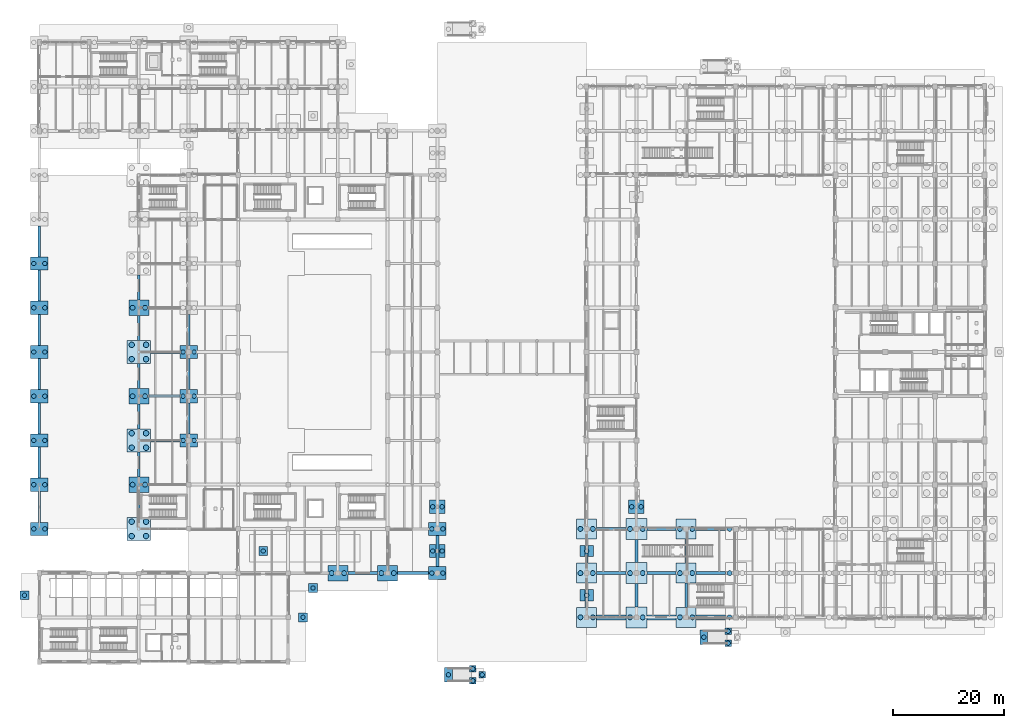
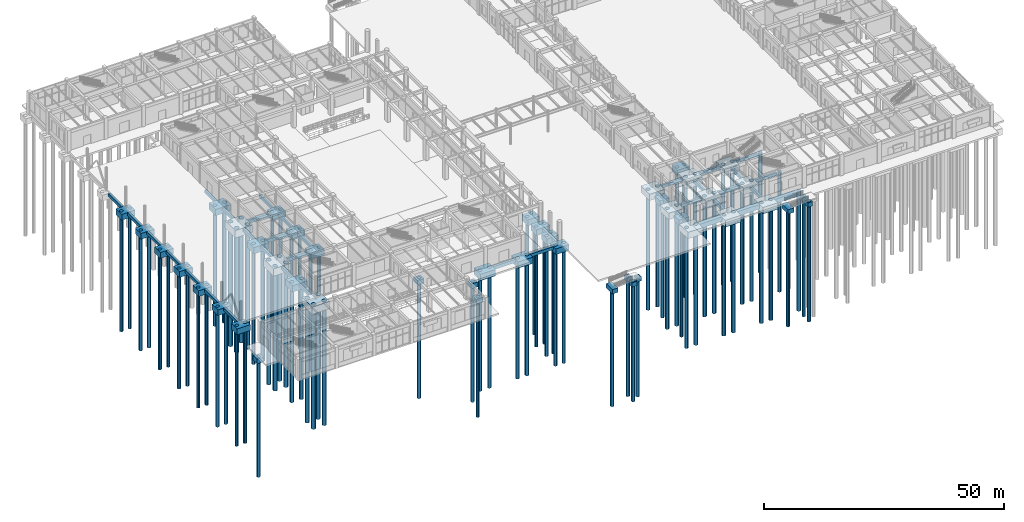
# One storey, part 1 of 121: 86 piles, 82 footings.
"""IFC4 building model written with IfcOpenShell, lengths in metres."""

import ifcopenshell
import ifcopenshell.guid

model = None  # the IFC model being written
_history = None  # IfcOwnerHistory: only IFC2X3 demands one
_inside = {}  # id of a spatial element -> (the spatial element, [elements in it])
_under = {}  # id of a project, library or spatial element -> (it, [spatial elements below it])
_declared = {}  # id of a project -> (the project, [libraries it declares])
_typed = {}  # id of a type object -> (the type object, [elements of that type])
_made_of = {}  # id of a material, layer set ... -> (it, [elements and type objects made of it])


def new_model(schema):
    """Start an empty IFC model of exactly this schema.

    Asked for "IFC4X3", IfcOpenShell would pick the latest addendum, in which some entities
    have other attributes; the version numbers below select the first issue.
    IFC2X3 requires an IfcOwnerHistory on every rooted entity: one is made here for all.
    """
    global model, _history
    if schema == "IFC4X3":
        model = ifcopenshell.file(schema_version=(4, 3, 0, 0))
    else:
        model = ifcopenshell.file(schema=schema)
    _inside.clear()
    _under.clear()
    _declared.clear()
    _typed.clear()
    _made_of.clear()
    _history = None
    if model.schema == "IFC2X3":
        org = make("IfcOrganization", Name="unknown")
        user = make(
            "IfcPersonAndOrganization",
            ThePerson=make("IfcPerson", FamilyName="unknown"),
            TheOrganization=org,
        )
        app = make(
            "IfcApplication",
            ApplicationDeveloper=org,
            Version="unknown",
            ApplicationFullName="unknown",
            ApplicationIdentifier="unknown",
        )
        _history = make(
            "IfcOwnerHistory",
            OwningUser=user,
            OwningApplication=app,
            ChangeAction="ADDED",
            CreationDate=0,
        )
    return model


def make(cls, **values):
    """One entity of the class cls with the attributes given. An attribute that is None is left unset."""
    return model.create_entity(
        cls, **{name: value for name, value in values.items() if value is not None}
    )


def rooted(cls, **values):
    """An entity with a GlobalId (a new one), such as an element, a storey or a relation."""
    return make(cls, GlobalId=ifcopenshell.guid.new(), OwnerHistory=_history, **values)


def si_unit(unit_type, name, prefix=None):
    """IfcSIUnit, for example si_unit("LENGTHUNIT", "METRE", prefix="MILLI")."""
    return make("IfcSIUnit", UnitType=unit_type, Prefix=prefix, Name=name)


def derived_unit(unit_type, elements):
    """IfcDerivedUnit: a product of units, each with its exponent."""
    return make(
        "IfcDerivedUnit",
        Elements=[
            make("IfcDerivedUnitElement", Unit=unit, Exponent=power)
            for unit, power in elements
        ],
        UnitType=unit_type,
    )


def assignment(units):
    """IfcUnitAssignment: the units of a project."""
    return None if units is None else make("IfcUnitAssignment", Units=units)


def point(xyz):
    """IfcCartesianPoint."""
    return None if xyz is None else make("IfcCartesianPoint", Coordinates=xyz)


def direction(xyz):
    """IfcDirection."""
    return None if xyz is None else make("IfcDirection", DirectionRatios=xyz)


def frame(location, z_axis=None, x_axis=None):
    """IfcAxis2Placement3D, a coordinate frame: its origin and axes. An axis left out is left unset."""
    return make(
        "IfcAxis2Placement3D",
        Location=point(location),
        Axis=direction(z_axis),
        RefDirection=direction(x_axis),
    )


def frame_2d(location, x_axis=None):
    """IfcAxis2Placement2D, a coordinate frame in the plane: its origin and x axis."""
    return make(
        "IfcAxis2Placement2D", Location=point(location), RefDirection=direction(x_axis)
    )


def origin():
    """The frame at (0, 0, 0) with its axes left unset."""
    return frame((0.0, 0.0, 0.0))


def origin_2d():
    """The frame at (0, 0) in the plane with its x axis left unset."""
    return frame_2d((0.0, 0.0))


def place(relative_to, where):
    """IfcLocalPlacement: puts the frame where relative to a parent placement (None: the world)."""
    return make(
        "IfcLocalPlacement", PlacementRelTo=relative_to, RelativePlacement=where
    )


def context(
    kind, dimensions, precision=None, world=None, true_north=None, identifier=None
):
    """IfcGeometricRepresentationContext, for example the 3D "Model" context."""
    return make(
        "IfcGeometricRepresentationContext",
        ContextIdentifier=identifier,
        ContextType=kind,
        CoordinateSpaceDimension=dimensions,
        Precision=precision,
        WorldCoordinateSystem=world,
        TrueNorth=true_north,
    )


def subcontext(parent, identifier, kind, view, scale=None):
    """IfcGeometricRepresentationSubContext, for example "Body" below "Model"."""
    return make(
        "IfcGeometricRepresentationSubContext",
        ContextIdentifier=identifier,
        ContextType=kind,
        ParentContext=parent,
        TargetScale=scale,
        TargetView=view,
    )


def project(units=None, contexts=None):
    """IfcProject with its units and contexts."""
    return rooted(
        "IfcProject",
        Name="project",
        RepresentationContexts=contexts,
        UnitsInContext=assignment(units),
    )


def spatial(cls, under=None, at=None, **own):
    """A site, building, storey or space (cls), placed at a placement, below another one or the project."""
    s = rooted(cls, ObjectPlacement=at, **own)
    if under is not None:
        _under.setdefault(under.id(), (under, []))[1].append(s)
    return s


def profile(cls, at=None, kind="AREA", **sizes):
    """A parametric profile (cls). Its sizes go by their IFC names, for example OverallWidth=200.0."""
    return make(cls, ProfileType=kind, Position=at, **sizes)


def rectangle(**sizes):
    """IfcRectangleProfileDef."""
    return profile("IfcRectangleProfileDef", **sizes)


def circle(**sizes):
    """IfcCircleProfileDef."""
    return profile("IfcCircleProfileDef", **sizes)


def extrude(swept, where, along, depth):
    """IfcExtrudedAreaSolid: the profile swept, set in the frame where, extruded along a direction by depth."""
    return make(
        "IfcExtrudedAreaSolid",
        SweptArea=swept,
        Position=where,
        ExtrudedDirection=direction(along),
        Depth=depth,
    )


def shape(context_of_items, identifier, shape_type, items):
    """IfcShapeRepresentation: the items that make up one representation, for example the "Body"."""
    return make(
        "IfcShapeRepresentation",
        ContextOfItems=context_of_items,
        RepresentationIdentifier=identifier,
        RepresentationType=shape_type,
        Items=items,
    )


def material(Name=None, Category=None):
    """IfcMaterial."""
    return make("IfcMaterial", Name=Name, Category=Category)


def material_profile(
    of_material, cross_section, Name=None, Category=None, Priority=None
):
    """IfcMaterialProfile: a cross section and its material."""
    return make(
        "IfcMaterialProfile",
        Name=Name,
        Material=of_material,
        Profile=cross_section,
        Priority=Priority,
        Category=Category,
    )


def profile_set(profiles, Name=None, composite=None):
    """IfcMaterialProfileSet."""
    return make(
        "IfcMaterialProfileSet",
        Name=Name,
        MaterialProfiles=profiles,
        CompositeProfile=composite,
    )


def made_of(thing, what):
    """Note that an element or type object is made of a material, layer set ...; save() writes the relation."""
    if what is not None:
        _made_of.setdefault(what.id(), (what, []))[1].append(thing)
    return thing


def type_object(cls, material=None, **own):
    """A type object (cls), such as IfcWallType, which elements share."""
    return made_of(rooted(cls, **own), material)


def element(
    cls,
    number,
    at=None,
    inside=None,
    cuts=None,
    type_object=None,
    material=None,
    context=None,
    identifier="Body",
    shape_type=None,
    held_by="IfcProductDefinitionShape",
    body=None,
    shapes=None,
    **own,
):
    """One element of the class cls, such as IfcWall. Its Tag is "e" and its number.

    at: its placement. inside: the storey or other place that contains it. cuts: it is an
    opening in that element (IfcRelVoidsElement). A single representation is given by context,
    identifier, shape_type and body (its items); several are given by shapes. held_by: the class
    of the entity that holds the representations. save() writes the other relations.
    """
    e = rooted(cls, Tag="e%d" % number, ObjectPlacement=at, **own)
    if body is not None:
        shapes = [shape(context, identifier, shape_type, body)]
    if shapes is not None:
        e.Representation = make(held_by, Representations=shapes)
    if inside is not None:
        _inside.setdefault(inside.id(), (inside, []))[1].append(e)
    if cuts is not None:
        rooted(
            "IfcRelVoidsElement", RelatingBuildingElement=cuts, RelatedOpeningElement=e
        )
    if type_object is not None:
        _typed.setdefault(type_object.id(), (type_object, []))[1].append(e)
    return made_of(e, material)


def aggregate(whole, parts):
    """IfcRelAggregates: a whole, such as a stair, and the parts it consists of."""
    return rooted("IfcRelAggregates", RelatingObject=whole, RelatedObjects=parts)


def save(model, path):
    """Write the relations noted so far, then the file.

    IfcRelAggregates (storeys below a building ...), IfcRelContainedInSpatialStructure (elements
    in a storey), IfcRelDefinesByType, IfcRelAssociatesMaterial and IfcRelDeclares: one each for
    every whole, place, type object, material and project.
    """
    for whole, parts in _under.values():
        aggregate(whole, parts)
    for where, things in _inside.values():
        rooted(
            "IfcRelContainedInSpatialStructure",
            RelatedElements=things,
            RelatingStructure=where,
        )
    for kind, things in _typed.values():
        rooted("IfcRelDefinesByType", RelatedObjects=things, RelatingType=kind)
    for what, things in _made_of.values():
        rooted("IfcRelAssociatesMaterial", RelatedObjects=things, RelatingMaterial=what)
    for by, libraries in _declared.values():
        rooted("IfcRelDeclares", RelatingContext=by, RelatedDefinitions=libraries)
    model.write(path)


model = new_model("IFC4")

# Units and contexts
model_context = context("Model", 3, precision=1e-05, world=origin(), true_north=direction((0.0, 1.0)))
body_context = subcontext(model_context, "Body", "Model", "MODEL_VIEW")
ifc_project = project(units=[si_unit("LENGTHUNIT", "METRE"), si_unit("AREAUNIT", "SQUARE_METRE"), si_unit("VOLUMEUNIT", "CUBIC_METRE"), si_unit("PLANEANGLEUNIT", "RADIAN"), si_unit("MASSUNIT", "GRAM", prefix="KILO"), derived_unit("THERMALTRANSMITTANCEUNIT", [(si_unit("MASSUNIT", "GRAM", prefix="KILO"), 1), (si_unit("TIMEUNIT", "SECOND"), -3), (si_unit("THERMODYNAMICTEMPERATUREUNIT", "KELVIN"), -1)])], contexts=[model_context])

# Site, building, storey
site_placement = place(None, origin())
site = spatial("IfcSite", under=ifc_project, at=site_placement, CompositionType="ELEMENT")
building_placement = place(site_placement, origin())
building = spatial("IfcBuilding", under=site, at=building_placement, Name="Zhenchuan Archway Interchange", CompositionType="ELEMENT")
storey_placement = place(building_placement, origin())
storey = spatial("IfcBuildingStorey", under=building, at=storey_placement, Name="L00", CompositionType="ELEMENT", Elevation=0.0)

# Footings
ifc_material_1 = material(Name="Concrete C40", Category="concrete")
ifc_material_profile_1 = material_profile(ifc_material_1, rectangle(XDim=0.550048828125, YDim=0.85009765625, at=origin_2d()), Name="RC 550x850")
ifc_profile_set_1 = profile_set([ifc_material_profile_1], Name="Concrete C40")
footing_type_1 = type_object("IfcFootingType", Name="FB_GROUND_3", PredefinedType="FOOTING_BEAM", material=ifc_profile_set_1)
footing_1_placement = place(storey_placement, frame((55.800048828125, 16.0, -0.844970703125), z_axis=(1.0, 0.0, 0.0), x_axis=(0.0, 1.0, 0.0)))
element("IfcFooting", 1, at=footing_1_placement, inside=storey, type_object=footing_type_1, Name="Ground tie beam C:7-8 (L00)", PredefinedType="FOOTING_BEAM", context=body_context, shape_type="SweptSolid", body=[
    extrude(rectangle(XDim=0.550048828125, YDim=0.85009765625, at=origin_2d()), origin(), (0.0, 0.0, 1.0), 5.39990234375),
])
for number, where, z_axis, x_axis, name in (
    (2, (109.89990234375, 16.0, -0.844970703125), (1.0, 0.0, 0.0), (0.0, 1.0, 0.0), "Ground tie beam C:13-14 (L00)"),
    (3, (109.89990234375, 24.0, -0.844970703125), (1.0, 0.0, 0.0), (0.0, 1.0, 0.0), "Ground tie beam D:13-14 (L00)"),
):
    element("IfcFooting", number, at=place(storey_placement, frame(where, z_axis=z_axis, x_axis=x_axis)), inside=storey, type_object=footing_type_1, Name=name, PredefinedType="FOOTING_BEAM", context=body_context, shape_type="SweptSolid", body=[
        extrude(rectangle(XDim=0.550048828125, YDim=0.85009765625, at=origin_2d()), origin(), (0.0, 0.0, 1.0), 5.300048828125),
    ])
footing_2_placement = place(storey_placement, frame((20.10009765625, 40.0, -0.844970703125), z_axis=(1.0, 0.0, 0.0), x_axis=(0.0, 1.0, 0.0)))
element("IfcFooting", 4, at=footing_2_placement, inside=storey, type_object=footing_type_1, Name="Ground tie beam F:3-4 (L00)", PredefinedType="FOOTING_BEAM", context=body_context, shape_type="SweptSolid", body=[
    extrude(rectangle(XDim=0.550048828125, YDim=0.85009765625, at=origin_2d()), origin(), (0.0, 0.0, 1.0), 5.2998046875),
])
footing_3_placement = place(storey_placement, frame((19.800048828125, 48.0, -0.844970703125), z_axis=(1.0, 0.0, 0.0), x_axis=(0.0, 1.0, 0.0)))
element("IfcFooting", 5, at=footing_3_placement, inside=storey, type_object=footing_type_1, Name="Ground tie beam G:3-4 (L00)", PredefinedType="FOOTING_BEAM", context=body_context, shape_type="SweptSolid", body=[
    extrude(rectangle(XDim=0.550048828125, YDim=0.85009765625, at=origin_2d()), origin(), (0.0, 0.0, 1.0), 5.599853515625),
])
footing_4_placement = place(storey_placement, frame((20.10009765625, 56.0, -0.844970703125), z_axis=(1.0, 0.0, 0.0), x_axis=(0.0, 1.0, 0.0)))
element("IfcFooting", 6, at=footing_4_placement, inside=storey, type_object=footing_type_1, Name="Ground tie beam H:3-4 (L00)", PredefinedType="FOOTING_BEAM", context=body_context, shape_type="SweptSolid", body=[
    extrude(rectangle(XDim=0.550048828125, YDim=0.85009765625, at=origin_2d()), origin(), (0.0, 0.0, 1.0), 5.2998046875),
])
ifc_material_profile_2 = material_profile(ifc_material_1, rectangle(XDim=0.5, YDim=0.75, at=origin_2d()), Name="RC 500x750")
ifc_profile_set_2 = profile_set([ifc_material_profile_2], Name="Concrete C40")
footing_type_2 = type_object("IfcFootingType", Name="FB_GROUND_4", PredefinedType="FOOTING_BEAM", material=ifc_profile_set_2)
footing_5_placement = place(storey_placement, frame((64.800048828125, 16.0, -0.794921875), z_axis=(1.0, 0.0, 0.0), x_axis=(0.0, 1.0, 0.0)))
element("IfcFooting", 7, at=footing_5_placement, inside=storey, type_object=footing_type_2, Name="Ground tie beam C:8-9 (L00)", PredefinedType="FOOTING_BEAM", context=body_context, shape_type="SweptSolid", body=[
    extrude(rectangle(XDim=0.5, YDim=0.75, at=origin_2d()), origin(), (0.0, 0.0, 1.0), 5.599853515625),
])
for number, where, z_axis, x_axis, name in (
    (8, (100.800048828125, 16.0, -0.794921875), (1.0, 0.0, 0.0), (0.0, 1.0, 0.0), "Ground tie beam C:12-13 (L00)"),
    (9, (118.800048828125, 16.0, -0.794921875), (1.0, 0.0, 0.0), (0.0, 1.0, 0.0), "Ground tie beam C:14-15 (L00)"),
    (10, (100.800048828125, 24.0, -0.794921875), (1.0, 0.0, 0.0), (0.0, 1.0, 0.0), "Ground tie beam D:12-13 (L00)"),
    (11, (118.800048828125, 24.0, -0.794921875), (1.0, 0.0, 0.0), (0.0, 1.0, 0.0), "Ground tie beam D:14-15 (L00)"),
):
    element("IfcFooting", number, at=place(storey_placement, frame(where, z_axis=z_axis, x_axis=x_axis)), inside=storey, type_object=footing_type_2, Name=name, PredefinedType="FOOTING_BEAM", context=body_context, shape_type="SweptSolid", body=[
        extrude(rectangle(XDim=0.5, YDim=0.75, at=origin_2d()), origin(), (0.0, 0.0, 1.0), 5.300048828125),
    ])
for number, where, z_axis, x_axis, name in (
    (12, (0.0, 25.199951171875, -0.794921875), (0.0, 1.0, 0.0), (-1.0, 0.0, 0.0), "Ground tie beam 1:D-E (L00)"),
    (13, (0.0, 33.199951171875, -0.794921875), (0.0, 1.0, 0.0), (-1.0, 0.0, 0.0), "Ground tie beam 1:E-F (L00)"),
    (14, (0.0, 41.199951171875, -0.794921875), (0.0, 1.0, 0.0), (-1.0, 0.0, 0.0), "Ground tie beam 1:F-G (L00)"),
    (15, (0.0, 49.199951171875, -0.794921875), (0.0, 1.0, 0.0), (-1.0, 0.0, 0.0), "Ground tie beam 1:G-H (L00)"),
    (16, (0.0, 57.199951171875, -0.794921875), (0.0, 1.0, 0.0), (-1.0, 0.0, 0.0), "Ground tie beam 1:H-J (L00)"),
    (17, (0.0, 65.199951171875, -0.794921875), (0.0, 1.0, 0.0), (-1.0, 0.0, 0.0), "Ground tie beam 1:J-K (L00)"),
    (18, (0.0, 73.199951171875, -0.794921875), (0.0, 1.0, 0.0), (-1.0, 0.0, 0.0), "Ground tie beam 1:K-L (L00)"),
):
    element("IfcFooting", number, at=place(storey_placement, frame(where, z_axis=z_axis, x_axis=x_axis)), inside=storey, type_object=footing_type_2, Name=name, PredefinedType="FOOTING_BEAM", context=body_context, shape_type="SweptSolid", body=[
        extrude(rectangle(XDim=0.5, YDim=0.75, at=origin_2d()), origin(), (0.0, 0.0, 1.0), 5.60009765625),
    ])
for number, where, z_axis, x_axis, name in (
    (19, (18.0, 26.10009765625, -0.794921875), (0.0, 1.0, 0.0), (-1.0, 0.0, 0.0), "Ground tie beam 3:D-E (L00)"),
    (20, (18.0, 33.39990234375, -0.794921875), (0.0, 1.0, 0.0), (-1.0, 0.0, 0.0), "Ground tie beam 3:E-F (L00)"),
    (21, (18.0, 42.10009765625, -0.794921875), (0.0, 1.0, 0.0), (-1.0, 0.0, 0.0), "Ground tie beam 3:F-G (L00)"),
    (22, (18.0, 49.39990234375, -0.794921875), (0.0, 1.0, 0.0), (-1.0, 0.0, 0.0), "Ground tie beam 3:G-H (L00)"),
    (23, (18.0, 58.10009765625, -0.794921875), (0.0, 1.0, 0.0), (-1.0, 0.0, 0.0), "Ground tie beam 3:H-J (L00)"),
    (24, (18.0, 65.39990234375, -0.794921875), (0.0, 1.0, 0.0), (-1.0, 0.0, 0.0), "Ground tie beam 3:J-K (L00)"),
):
    element("IfcFooting", number, at=place(storey_placement, frame(where, z_axis=z_axis, x_axis=x_axis)), inside=storey, type_object=footing_type_2, Name=name, PredefinedType="FOOTING_BEAM", context=body_context, shape_type="SweptSolid", body=[
        extrude(rectangle(XDim=0.5, YDim=0.75, at=origin_2d()), origin(), (0.0, 0.0, 1.0), 4.5),
    ])
for number, where, z_axis, x_axis, name in (
    (25, (27.0, 41.199951171875, -0.794921875), (0.0, 1.0, 0.0), (-1.0, 0.0, 0.0), "Ground tie beam 4:F-G (L00)"),
    (26, (27.0, 49.199951171875, -0.794921875), (0.0, 1.0, 0.0), (-1.0, 0.0, 0.0), "Ground tie beam 4:G-H (L00)"),
    (27, (27.0, 57.199951171875, -0.794921875), (0.0, 1.0, 0.0), (-1.0, 0.0, 0.0), "Ground tie beam 4:H-J (L00)"),
    (28, (72.0, 17.199951171875, -0.794921875), (0.0, 1.0, 0.0), (-1.0, 0.0, 0.0), "Ground tie beam 9:C-D (L00)"),
):
    element("IfcFooting", number, at=place(storey_placement, frame(where, z_axis=z_axis, x_axis=x_axis)), inside=storey, type_object=footing_type_2, Name=name, PredefinedType="FOOTING_BEAM", context=body_context, shape_type="SweptSolid", body=[
        extrude(rectangle(XDim=0.5, YDim=0.75, at=origin_2d()), origin(), (0.0, 0.0, 1.0), 5.60009765625),
    ])
for number, where, z_axis, x_axis, name in (
    (29, (99.0, 9.800048828125, -0.794921875), (0.0, 1.0, 0.0), (-1.0, 0.0, 0.0), "Ground tie beam 12:B-C (L00)"),
    (30, (99.0, 17.800048828125, -0.794921875), (0.0, 1.0, 0.0), (-1.0, 0.0, 0.0), "Ground tie beam 12:C-D (L00)"),
):
    element("IfcFooting", number, at=place(storey_placement, frame(where, z_axis=z_axis, x_axis=x_axis)), inside=storey, type_object=footing_type_2, Name=name, PredefinedType="FOOTING_BEAM", context=body_context, shape_type="SweptSolid", body=[
        extrude(rectangle(XDim=0.5, YDim=0.75, at=origin_2d()), origin(), (0.0, 0.0, 1.0), 4.39990234375),
    ])
for number, where, z_axis, x_axis, name in (
    (31, (108.0, 9.89990234375, -0.794921875), (0.0, 1.0, 0.0), (-1.0, 0.0, 0.0), "Ground tie beam 13:B-C (L00)"),
    (32, (108.0, 17.89990234375, -0.794921875), (0.0, 1.0, 0.0), (-1.0, 0.0, 0.0), "Ground tie beam 13:C-D (L00)"),
):
    element("IfcFooting", number, at=place(storey_placement, frame(where, z_axis=z_axis, x_axis=x_axis)), inside=storey, type_object=footing_type_2, Name=name, PredefinedType="FOOTING_BEAM", context=body_context, shape_type="SweptSolid", body=[
        extrude(rectangle(XDim=0.5, YDim=0.75, at=origin_2d()), origin(), (0.0, 0.0, 1.0), 4.2001953125),
    ])
for number, where, z_axis, x_axis, name in (
    (33, (117.0, 9.800048828125, -0.794921875), (0.0, 1.0, 0.0), (-1.0, 0.0, 0.0), "Ground tie beam 14:B-C (L00)"),
    (34, (117.0, 17.800048828125, -0.794921875), (0.0, 1.0, 0.0), (-1.0, 0.0, 0.0), "Ground tie beam 14:C-D (L00)"),
):
    element("IfcFooting", number, at=place(storey_placement, frame(where, z_axis=z_axis, x_axis=x_axis)), inside=storey, type_object=footing_type_2, Name=name, PredefinedType="FOOTING_BEAM", context=body_context, shape_type="SweptSolid", body=[
        extrude(rectangle(XDim=0.5, YDim=0.75, at=origin_2d()), origin(), (0.0, 0.0, 1.0), 4.39990234375),
    ])
ifc_material_profile_3 = material_profile(ifc_material_1, rectangle(XDim=0.89990234375, YDim=1.159912109375, at=origin_2d()), Name="RC 900x1160")
ifc_profile_set_3 = profile_set([ifc_material_profile_3], Name="Concrete C40")
footing_type_3 = type_object("IfcFootingType", Name="FB_PLINTH_CURB", PredefinedType="STRIP_FOOTING", material=ifc_profile_set_3)
for number, where, z_axis, x_axis, name in (
    (35, (100.800048828125, 8.0, -1.0), (1.0, 0.0, 0.0), (0.0, 1.0, 0.0), "Perimeter strip footing B:12-13 (L00)"),
    (36, (109.89990234375, 8.0, -1.0), (1.0, 0.0, 0.0), (0.0, 1.0, 0.0), "Perimeter strip footing B:13-14 (L00)"),
    (37, (118.800048828125, 8.0, -1.0), (1.0, 0.0, 0.0), (0.0, 1.0, 0.0), "Perimeter strip footing B:14-15 (L00)"),
):
    element("IfcFooting", number, at=place(storey_placement, frame(where, z_axis=z_axis, x_axis=x_axis)), inside=storey, type_object=footing_type_3, Name=name, PredefinedType="STRIP_FOOTING", context=body_context, shape_type="SweptSolid", body=[
        extrude(rectangle(XDim=0.89990234375, YDim=1.159912109375, at=origin_2d()), origin(), (0.0, 0.0, 1.0), 5.300048828125),
    ])
footing_type_4 = type_object("IfcFootingType", Name="PAD_EQUIP_4", PredefinedType="PAD_FOOTING", material=ifc_material_1)
for number, where, z_axis, x_axis, name in (
    (38, (49.5, 13.300048828125, -1.6201171875), (0.0, 0.0, 1.0), (1.0, 0.0, 0.0), "Walkway curb footing ENTS"),
    (39, (47.699951171875, 8.0, -1.6201171875), (0.0, 0.0, 1.0), (1.0, 0.0, 0.0), "Walkway curb footing CYCE"),
    (40, (-2.699951171875, 12.0, -1.6201171875), (0.0, 0.0, 1.0), (1.0, 0.0, 0.0), "Walkway curb footing CYCW"),
    (41, (40.5, 20.0, -1.6201171875), (0.0, 0.0, 1.0), (1.0, 0.0, 0.0), "Walkway curb footing CYCC"),
):
    element("IfcFooting", number, at=place(storey_placement, frame(where, z_axis=z_axis, x_axis=x_axis)), inside=storey, type_object=footing_type_4, Name=name, PredefinedType="PAD_FOOTING", context=body_context, shape_type="SweptSolid", body=[
        extrude(rectangle(XDim=1.60009765625, YDim=1.60009765625, at=origin_2d()), origin(), (0.0, 0.0, 1.0), 1.199951171875),
    ])
footing_type_5 = type_object("IfcFootingType", Name="PAD_EQUIP_5", PredefinedType="PAD_FOOTING", material=ifc_material_1)
for number, where, z_axis, x_axis, name in (
    (42, (74.0, -2.39990234375, -1.699951171875), (0.0, 0.0, 1.0), (1.0, 0.0, 0.0), "RMP-A1 lower curb footing"),
    (43, (120.199951171875, 4.39990234375, -1.699951171875), (0.0, 0.0, 1.0), (1.0, 0.0, 0.0), "RMP-A3 lower curb footing"),
):
    element("IfcFooting", number, at=place(storey_placement, frame(where, z_axis=z_axis, x_axis=x_axis)), inside=storey, type_object=footing_type_5, Name=name, PredefinedType="PAD_FOOTING", context=body_context, shape_type="SweptSolid", body=[
        extrude(rectangle(XDim=1.39990234375, YDim=2.60009765625, at=origin_2d()), origin(), (0.0, 0.0, 1.0), 1.10009765625),
    ])
footing_type_6 = type_object("IfcFootingType", Name="PAD_EQUIP_7", PredefinedType="PAD_FOOTING", material=ifc_material_1)
for number, where, z_axis, x_axis, name in (
    (44, (78.39990234375, -3.47998046875, -1.35009765625), (0.0, 0.0, 1.0), (1.0, 0.0, 0.0), "RMP-A1 upper landing footing 1"),
    (45, (78.39990234375, -1.320068359375, -1.35009765625), (0.0, 0.0, 1.0), (1.0, 0.0, 0.0), "RMP-A1 upper landing footing 2"),
    (46, (80.10009765625, -2.39990234375, -1.35009765625), (0.0, 0.0, 1.0), (1.0, 0.0, 0.0), "RMP-A1 upper landing footing 3"),
    (47, (124.60009765625, 3.320068359375, -1.35009765625), (0.0, 0.0, 1.0), (1.0, 0.0, 0.0), "RMP-A3 upper landing footing 1"),
    (48, (124.60009765625, 5.47998046875, -1.35009765625), (0.0, 0.0, 1.0), (1.0, 0.0, 0.0), "RMP-A3 upper landing footing 2"),
):
    element("IfcFooting", number, at=place(storey_placement, frame(where, z_axis=z_axis, x_axis=x_axis)), inside=storey, type_object=footing_type_6, Name=name, PredefinedType="PAD_FOOTING", context=body_context, shape_type="SweptSolid", body=[
        extrude(rectangle(XDim=1.14990234375, YDim=1.14990234375, at=origin_2d()), origin(), (0.0, 0.0, 1.0), 1.10009765625),
    ])
footing_type_7 = type_object("IfcFootingType", Name="PC_BRG_28x24", PredefinedType="PILE_CAP", material=ifc_material_1)
for number, where, z_axis, x_axis, name in (
    (49, (72.0, 20.0, -1.919921875), (0.0, 0.0, 1.0), (1.0, 0.0, 0.0), "Colonnade pilaster pile cap PAS-W1"),
    (50, (72.0, 28.0, -1.919921875), (0.0, 0.0, 1.0), (1.0, 0.0, 0.0), "Colonnade pilaster pile cap PAS-W2"),
    (51, (108.0, 28.0, -1.919921875), (0.0, 0.0, 1.0), (1.0, 0.0, 0.0), "Colonnade pilaster pile cap CRT-W1"),
):
    element("IfcFooting", number, at=place(storey_placement, frame(where, z_axis=z_axis, x_axis=x_axis)), inside=storey, type_object=footing_type_7, Name=name, PredefinedType="PILE_CAP", context=body_context, shape_type="SweptSolid", body=[
        extrude(rectangle(XDim=2.800048828125, YDim=2.39990234375, at=origin_2d()), origin(), (0.0, 0.0, 1.0), 1.5),
    ])
footing_type_8 = type_object("IfcFootingType", Name="PC_B_38x38", PredefinedType="PILE_CAP", material=ifc_material_1)
for number, where, z_axis, x_axis, name in (
    (52, (108.0, 8.0, -2.169921875), (0.0, 0.0, 1.0), (1.0, 0.0, 0.0), "Pile cap PC-07 at 13/B (L00)"),
    (53, (108.0, 16.0, -2.169921875), (0.0, 0.0, 1.0), (1.0, 0.0, 0.0), "Pile cap PC-07 at 13/C (L00)"),
    (54, (108.0, 24.0, -2.169921875), (0.0, 0.0, 1.0), (1.0, 0.0, 0.0), "Pile cap PC-07 at 13/D (L00)"),
):
    element("IfcFooting", number, at=place(storey_placement, frame(where, z_axis=z_axis, x_axis=x_axis)), inside=storey, type_object=footing_type_8, Name=name, PredefinedType="PILE_CAP", context=body_context, shape_type="SweptSolid", body=[
        extrude(rectangle(XDim=3.800048828125, YDim=3.800048828125, at=origin_2d()), origin(), (0.0, 0.0, 1.0), 1.75),
    ])
footing_type_9 = type_object("IfcFootingType", Name="PC_C_36x28", PredefinedType="PILE_CAP", material=ifc_material_1)
for number, where, z_axis, x_axis, name in (
    (55, (18.0, 32.0, -2.0400390625), (0.0, 0.0, 1.0), (1.0, 0.0, 0.0), "Pile cap PC-15 at 3/E (L00)"),
    (56, (18.0, 48.0, -2.0400390625), (0.0, 0.0, 1.0), (1.0, 0.0, 0.0), "Pile cap PC-15 at 3/G (L00)"),
    (57, (18.0, 64.0, -2.0400390625), (0.0, 0.0, 1.0), (1.0, 0.0, 0.0), "Pile cap PC-15 at 3/J (L00)"),
    (58, (54.0, 16.0, -2.0400390625), (0.0, 0.0, 1.0), (1.0, 0.0, 0.0), "Pile cap PC-15 at 7/C (L00)"),
    (59, (63.0, 16.0, -2.0400390625), (0.0, 0.0, 1.0), (1.0, 0.0, 0.0), "Pile cap PC-15 at 8/C (L00)"),
):
    element("IfcFooting", number, at=place(storey_placement, frame(where, z_axis=z_axis, x_axis=x_axis)), inside=storey, type_object=footing_type_9, Name=name, PredefinedType="PILE_CAP", context=body_context, shape_type="SweptSolid", body=[
        extrude(rectangle(XDim=3.60009765625, YDim=2.800048828125, at=origin_2d()), origin(), (0.0, 0.0, 1.0), 1.6201171875),
    ])
footing_type_10 = type_object("IfcFootingType", Name="PC_C_42x42", PredefinedType="PILE_CAP", material=ifc_material_1)
for number, where, z_axis, x_axis, name in (
    (60, (18.0, 24.0, -2.320068359375), (0.0, 0.0, 1.0), (1.0, 0.0, 0.0), "Pile cap PC-04 at 3/D (L00)"),
    (61, (18.0, 40.0, -2.320068359375), (0.0, 0.0, 1.0), (1.0, 0.0, 0.0), "Pile cap PC-04 at 3/F (L00)"),
    (62, (18.0, 56.0, -2.320068359375), (0.0, 0.0, 1.0), (1.0, 0.0, 0.0), "Pile cap PC-04 at 3/H (L00)"),
):
    element("IfcFooting", number, at=place(storey_placement, frame(where, z_axis=z_axis, x_axis=x_axis)), inside=storey, type_object=footing_type_10, Name=name, PredefinedType="PILE_CAP", context=body_context, shape_type="SweptSolid", body=[
        extrude(rectangle(XDim=4.199951171875, YDim=4.199951171875, at=origin_2d()), origin(), (0.0, 0.0, 1.0), 1.89990234375),
    ])
footing_type_11 = type_object("IfcFootingType", Name="PC_E_32x24", PredefinedType="PILE_CAP", material=ifc_material_1)
for number, where, z_axis, x_axis, name in (
    (63, (0.0, 24.0, -1.919921875), (0.0, 0.0, 1.0), (1.0, 0.0, 0.0), "Pile cap PC-12 at 1/D (L00)"),
    (64, (0.0, 32.0, -1.919921875), (0.0, 0.0, 1.0), (1.0, 0.0, 0.0), "Pile cap PC-12 at 1/E (L00)"),
    (65, (0.0, 40.0, -1.919921875), (0.0, 0.0, 1.0), (1.0, 0.0, 0.0), "Pile cap PC-12 at 1/F (L00)"),
    (66, (0.0, 48.0, -1.919921875), (0.0, 0.0, 1.0), (1.0, 0.0, 0.0), "Pile cap PC-12 at 1/G (L00)"),
    (67, (0.0, 56.0, -1.919921875), (0.0, 0.0, 1.0), (1.0, 0.0, 0.0), "Pile cap PC-12 at 1/H (L00)"),
    (68, (0.0, 64.0, -1.919921875), (0.0, 0.0, 1.0), (1.0, 0.0, 0.0), "Pile cap PC-12 at 1/J (L00)"),
    (69, (0.0, 72.0, -1.919921875), (0.0, 0.0, 1.0), (1.0, 0.0, 0.0), "Pile cap PC-12 at 1/K (L00)"),
    (70, (27.0, 40.0, -1.919921875), (0.0, 0.0, 1.0), (1.0, 0.0, 0.0), "Pile cap PC-12 at 4/F (L00)"),
    (71, (27.0, 48.0, -1.919921875), (0.0, 0.0, 1.0), (1.0, 0.0, 0.0), "Pile cap PC-12 at 4/G (L00)"),
    (72, (27.0, 56.0, -1.919921875), (0.0, 0.0, 1.0), (1.0, 0.0, 0.0), "Pile cap PC-12 at 4/H (L00)"),
    (73, (72.0, 16.0, -1.919921875), (0.0, 0.0, 1.0), (1.0, 0.0, 0.0), "Pile cap PC-12 at 9/C (L00)"),
    (74, (72.0, 24.0, -1.919921875), (0.0, 0.0, 1.0), (1.0, 0.0, 0.0), "Pile cap PC-12 at 9/D (L00)"),
):
    element("IfcFooting", number, at=place(storey_placement, frame(where, z_axis=z_axis, x_axis=x_axis)), inside=storey, type_object=footing_type_11, Name=name, PredefinedType="PILE_CAP", context=body_context, shape_type="SweptSolid", body=[
        extrude(rectangle(XDim=3.199951171875, YDim=2.39990234375, at=origin_2d()), origin(), (0.0, 0.0, 1.0), 1.5),
    ])
footing_type_12 = type_object("IfcFootingType", Name="PC_M_36x36", PredefinedType="PILE_CAP", material=ifc_material_1)
for number, where, z_axis, x_axis, name in (
    (75, (99.0, 8.0, -2.070068359375), (0.0, 0.0, 1.0), (1.0, 0.0, 0.0), "Pile cap PC-09 at 12/B (L00)"),
    (76, (99.0, 16.0, -2.070068359375), (0.0, 0.0, 1.0), (1.0, 0.0, 0.0), "Pile cap PC-09 at 12/C (L00)"),
    (77, (99.0, 24.0, -2.070068359375), (0.0, 0.0, 1.0), (1.0, 0.0, 0.0), "Pile cap PC-09 at 12/D (L00)"),
    (78, (117.0, 8.0, -2.070068359375), (0.0, 0.0, 1.0), (1.0, 0.0, 0.0), "Pile cap PC-09 at 14/B (L00)"),
    (79, (117.0, 16.0, -2.070068359375), (0.0, 0.0, 1.0), (1.0, 0.0, 0.0), "Pile cap PC-09 at 14/C (L00)"),
    (80, (117.0, 24.0, -2.070068359375), (0.0, 0.0, 1.0), (1.0, 0.0, 0.0), "Pile cap PC-09 at 14/D (L00)"),
):
    element("IfcFooting", number, at=place(storey_placement, frame(where, z_axis=z_axis, x_axis=x_axis)), inside=storey, type_object=footing_type_12, Name=name, PredefinedType="PILE_CAP", context=body_context, shape_type="SweptSolid", body=[
        extrude(rectangle(XDim=3.60009765625, YDim=3.60009765625, at=origin_2d()), origin(), (0.0, 0.0, 1.0), 1.64990234375),
    ])
footing_type_13 = type_object("IfcFootingType", Name="PC_PIL_24x20", PredefinedType="PILE_CAP", material=ifc_material_1)
for number, where, z_axis, x_axis, name in (
    (81, (99.0, 12.0, -1.820068359375), (0.0, 0.0, 1.0), (1.0, 0.0, 0.0), "Colonnade pilaster pile cap PAS-E1"),
    (82, (99.0, 20.0, -1.820068359375), (0.0, 0.0, 1.0), (1.0, 0.0, 0.0), "Colonnade pilaster pile cap PAS-E2"),
):
    element("IfcFooting", number, at=place(storey_placement, frame(where, z_axis=z_axis, x_axis=x_axis)), inside=storey, type_object=footing_type_13, Name=name, PredefinedType="PILE_CAP", context=body_context, shape_type="SweptSolid", body=[
        extrude(rectangle(XDim=2.39990234375, YDim=2.0, at=origin_2d()), origin(), (0.0, 0.0, 1.0), 1.39990234375),
    ])

# Piles
ifc_material_2 = material(Name="Concrete C35", Category="concrete")
ifc_material_profile_4 = material_profile(ifc_material_2, circle(Radius=0.5, at=origin_2d()), Name="BORED PILE 1000")
ifc_profile_set_4 = profile_set([ifc_material_profile_4], Name="Concrete C35")
pile_type_1 = type_object("IfcPileType", Name="PILE_D1000", PredefinedType="BORED", material=ifc_profile_set_4)
for number, where, z_axis, x_axis, name in (
    (83, (16.699951171875, 22.699951171875, -0.419921875), (0.0, 0.0, -1.0), (1.0, 0.0, 0.0), "Bored pile at 3/D #1 (L00)"),
    (84, (19.300048828125, 22.699951171875, -0.419921875), (0.0, 0.0, -1.0), (1.0, 0.0, 0.0), "Bored pile at 3/D #2 (L00)"),
    (85, (16.699951171875, 25.300048828125, -0.419921875), (0.0, 0.0, -1.0), (1.0, 0.0, 0.0), "Bored pile at 3/D #3 (L00)"),
    (86, (19.300048828125, 25.300048828125, -0.419921875), (0.0, 0.0, -1.0), (1.0, 0.0, 0.0), "Bored pile at 3/D #4 (L00)"),
    (87, (16.699951171875, 38.699951171875, -0.419921875), (0.0, 0.0, -1.0), (1.0, 0.0, 0.0), "Bored pile at 3/F #1 (L00)"),
    (88, (19.300048828125, 38.699951171875, -0.419921875), (0.0, 0.0, -1.0), (1.0, 0.0, 0.0), "Bored pile at 3/F #2 (L00)"),
    (89, (16.699951171875, 41.300048828125, -0.419921875), (0.0, 0.0, -1.0), (1.0, 0.0, 0.0), "Bored pile at 3/F #3 (L00)"),
    (90, (19.300048828125, 41.300048828125, -0.419921875), (0.0, 0.0, -1.0), (1.0, 0.0, 0.0), "Bored pile at 3/F #4 (L00)"),
    (91, (16.699951171875, 54.699951171875, -0.419921875), (0.0, 0.0, -1.0), (1.0, 0.0, 0.0), "Bored pile at 3/H #1 (L00)"),
    (92, (19.300048828125, 54.699951171875, -0.419921875), (0.0, 0.0, -1.0), (1.0, 0.0, 0.0), "Bored pile at 3/H #2 (L00)"),
    (93, (16.699951171875, 57.300048828125, -0.419921875), (0.0, 0.0, -1.0), (1.0, 0.0, 0.0), "Bored pile at 3/H #3 (L00)"),
    (94, (19.300048828125, 57.300048828125, -0.419921875), (0.0, 0.0, -1.0), (1.0, 0.0, 0.0), "Bored pile at 3/H #4 (L00)"),
):
    element("IfcPile", number, at=place(storey_placement, frame(where, z_axis=z_axis, x_axis=x_axis)), inside=storey, type_object=pile_type_1, Name=name, PredefinedType="BORED", context=body_context, shape_type="SweptSolid", body=[
        extrude(circle(Radius=0.5, at=origin_2d()), origin(), (0.0, 0.0, 1.0), 31.5),
    ])
ifc_material_profile_5 = material_profile(ifc_material_2, circle(Radius=0.39990234375, at=origin_2d()), Name="BORED PILE 800")
ifc_profile_set_5 = profile_set([ifc_material_profile_5], Name="Concrete C35")
pile_type_2 = type_object("IfcPileType", Name="PILE_D800", PredefinedType="BORED", material=ifc_profile_set_5)
for number, where, z_axis, x_axis, name in (
    (95, (-1.0, 24.0, -0.419921875), (0.0, 0.0, -1.0), (1.0, 0.0, 0.0), "Bored pile at 1/D #1 (L00)"),
    (96, (1.0, 24.0, -0.419921875), (0.0, 0.0, -1.0), (1.0, 0.0, 0.0), "Bored pile at 1/D #2 (L00)"),
    (97, (-1.0, 32.0, -0.419921875), (0.0, 0.0, -1.0), (1.0, 0.0, 0.0), "Bored pile at 1/E #1 (L00)"),
    (98, (1.0, 32.0, -0.419921875), (0.0, 0.0, -1.0), (1.0, 0.0, 0.0), "Bored pile at 1/E #2 (L00)"),
    (99, (-1.0, 40.0, -0.419921875), (0.0, 0.0, -1.0), (1.0, 0.0, 0.0), "Bored pile at 1/F #1 (L00)"),
    (100, (1.0, 40.0, -0.419921875), (0.0, 0.0, -1.0), (1.0, 0.0, 0.0), "Bored pile at 1/F #2 (L00)"),
    (101, (-1.0, 48.0, -0.419921875), (0.0, 0.0, -1.0), (1.0, 0.0, 0.0), "Bored pile at 1/G #1 (L00)"),
    (102, (1.0, 48.0, -0.419921875), (0.0, 0.0, -1.0), (1.0, 0.0, 0.0), "Bored pile at 1/G #2 (L00)"),
    (103, (-1.0, 56.0, -0.419921875), (0.0, 0.0, -1.0), (1.0, 0.0, 0.0), "Bored pile at 1/H #1 (L00)"),
    (104, (1.0, 56.0, -0.419921875), (0.0, 0.0, -1.0), (1.0, 0.0, 0.0), "Bored pile at 1/H #2 (L00)"),
    (105, (-1.0, 64.0, -0.419921875), (0.0, 0.0, -1.0), (1.0, 0.0, 0.0), "Bored pile at 1/J #1 (L00)"),
    (106, (1.0, 64.0, -0.419921875), (0.0, 0.0, -1.0), (1.0, 0.0, 0.0), "Bored pile at 1/J #2 (L00)"),
    (107, (-1.0, 72.0, -0.419921875), (0.0, 0.0, -1.0), (1.0, 0.0, 0.0), "Bored pile at 1/K #1 (L00)"),
    (108, (1.0, 72.0, -0.419921875), (0.0, 0.0, -1.0), (1.0, 0.0, 0.0), "Bored pile at 1/K #2 (L00)"),
    (109, (26.0, 40.0, -0.419921875), (0.0, 0.0, -1.0), (1.0, 0.0, 0.0), "Bored pile at 4/F #1 (L00)"),
    (110, (28.0, 40.0, -0.419921875), (0.0, 0.0, -1.0), (1.0, 0.0, 0.0), "Bored pile at 4/F #2 (L00)"),
    (111, (26.0, 48.0, -0.419921875), (0.0, 0.0, -1.0), (1.0, 0.0, 0.0), "Bored pile at 4/G #1 (L00)"),
    (112, (28.0, 48.0, -0.419921875), (0.0, 0.0, -1.0), (1.0, 0.0, 0.0), "Bored pile at 4/G #2 (L00)"),
    (113, (26.0, 56.0, -0.419921875), (0.0, 0.0, -1.0), (1.0, 0.0, 0.0), "Bored pile at 4/H #1 (L00)"),
    (114, (28.0, 56.0, -0.419921875), (0.0, 0.0, -1.0), (1.0, 0.0, 0.0), "Bored pile at 4/H #2 (L00)"),
    (115, (71.0, 16.0, -0.419921875), (0.0, 0.0, -1.0), (1.0, 0.0, 0.0), "Bored pile at 9/C #1 (L00)"),
    (116, (73.0, 16.0, -0.419921875), (0.0, 0.0, -1.0), (1.0, 0.0, 0.0), "Bored pile at 9/C #2 (L00)"),
    (117, (71.0, 24.0, -0.419921875), (0.0, 0.0, -1.0), (1.0, 0.0, 0.0), "Bored pile at 9/D #1 (L00)"),
    (118, (73.0, 24.0, -0.419921875), (0.0, 0.0, -1.0), (1.0, 0.0, 0.0), "Bored pile at 9/D #2 (L00)"),
    (119, (71.14990234375, 20.0, -0.419921875), (0.0, 0.0, -1.0), (1.0, 0.0, 0.0), "Colonnade pilaster pile PAS-W1 #1"),
    (120, (72.85009765625, 20.0, -0.419921875), (0.0, 0.0, -1.0), (1.0, 0.0, 0.0), "Colonnade pilaster pile PAS-W1 #2"),
    (121, (71.14990234375, 28.0, -0.419921875), (0.0, 0.0, -1.0), (1.0, 0.0, 0.0), "Colonnade pilaster pile PAS-W2 #1"),
    (122, (72.85009765625, 28.0, -0.419921875), (0.0, 0.0, -1.0), (1.0, 0.0, 0.0), "Colonnade pilaster pile PAS-W2 #2"),
    (123, (107.14990234375, 28.0, -0.419921875), (0.0, 0.0, -1.0), (1.0, 0.0, 0.0), "Colonnade pilaster pile CRT-W1 #1"),
    (124, (108.85009765625, 28.0, -0.419921875), (0.0, 0.0, -1.0), (1.0, 0.0, 0.0), "Colonnade pilaster pile CRT-W1 #2"),
    (125, (99.0, 12.0, -0.419921875), (0.0, 0.0, -1.0), (1.0, 0.0, 0.0), "Colonnade pilaster pile PAS-E1 #1"),
    (126, (99.0, 20.0, -0.419921875), (0.0, 0.0, -1.0), (1.0, 0.0, 0.0), "Colonnade pilaster pile PAS-E2 #1"),
    (127, (74.0, -2.39990234375, -0.60009765625), (0.0, 0.0, -1.0), (1.0, 0.0, 0.0), "RMP-A1 lower curb pile"),
    (128, (78.39990234375, -3.47998046875, -0.25), (0.0, 0.0, -1.0), (1.0, 0.0, 0.0), "RMP-A1 upper landing pile 1"),
    (129, (78.39990234375, -1.320068359375, -0.25), (0.0, 0.0, -1.0), (1.0, 0.0, 0.0), "RMP-A1 upper landing pile 2"),
    (130, (80.10009765625, -2.39990234375, -0.25), (0.0, 0.0, -1.0), (1.0, 0.0, 0.0), "RMP-A1 upper landing pile 3"),
    (131, (120.199951171875, 4.39990234375, -0.60009765625), (0.0, 0.0, -1.0), (1.0, 0.0, 0.0), "RMP-A3 lower curb pile"),
    (132, (124.60009765625, 3.320068359375, -0.25), (0.0, 0.0, -1.0), (1.0, 0.0, 0.0), "RMP-A3 upper landing pile 1"),
    (133, (124.60009765625, 5.47998046875, -0.25), (0.0, 0.0, -1.0), (1.0, 0.0, 0.0), "RMP-A3 upper landing pile 2"),
    (134, (49.5, 13.300048828125, -0.419921875), (0.0, 0.0, -1.0), (1.0, 0.0, 0.0), "Walkway curb pile ENTS"),
    (135, (47.699951171875, 8.0, -0.419921875), (0.0, 0.0, -1.0), (1.0, 0.0, 0.0), "Walkway curb pile CYCE"),
    (136, (-2.699951171875, 12.0, -0.419921875), (0.0, 0.0, -1.0), (1.0, 0.0, 0.0), "Walkway curb pile CYCW"),
    (137, (40.5, 20.0, -0.419921875), (0.0, 0.0, -1.0), (1.0, 0.0, 0.0), "Walkway curb pile CYCC"),
):
    element("IfcPile", number, at=place(storey_placement, frame(where, z_axis=z_axis, x_axis=x_axis)), inside=storey, type_object=pile_type_2, Name=name, PredefinedType="BORED", context=body_context, shape_type="SweptSolid", body=[
        extrude(circle(Radius=0.39990234375, at=origin_2d()), origin(), (0.0, 0.0, 1.0), 30.5),
    ])
ifc_material_profile_6 = material_profile(ifc_material_2, circle(Radius=0.449951171875, at=origin_2d()), Name="BORED PILE 900")
ifc_profile_set_6 = profile_set([ifc_material_profile_6], Name="Concrete C35")
pile_type_3 = type_object("IfcPileType", Name="PILE_D900", PredefinedType="BORED", material=ifc_profile_set_6)
for number, where, z_axis, x_axis, name in (
    (138, (97.875, 8.0, -0.419921875), (0.0, 0.0, -1.0), (1.0, 0.0, 0.0), "Bored pile at 12/B #1 (L00)"),
    (139, (100.125, 8.0, -0.419921875), (0.0, 0.0, -1.0), (1.0, 0.0, 0.0), "Bored pile at 12/B #2 (L00)"),
    (140, (97.875, 16.0, -0.419921875), (0.0, 0.0, -1.0), (1.0, 0.0, 0.0), "Bored pile at 12/C #1 (L00)"),
    (141, (100.125, 16.0, -0.419921875), (0.0, 0.0, -1.0), (1.0, 0.0, 0.0), "Bored pile at 12/C #2 (L00)"),
    (142, (97.875, 24.0, -0.419921875), (0.0, 0.0, -1.0), (1.0, 0.0, 0.0), "Bored pile at 12/D #1 (L00)"),
    (143, (100.125, 24.0, -0.419921875), (0.0, 0.0, -1.0), (1.0, 0.0, 0.0), "Bored pile at 12/D #2 (L00)"),
    (144, (106.85009765625, 8.0, -0.419921875), (0.0, 0.0, -1.0), (1.0, 0.0, 0.0), "Bored pile at 13/B #1 (L00)"),
    (145, (109.14990234375, 8.0, -0.419921875), (0.0, 0.0, -1.0), (1.0, 0.0, 0.0), "Bored pile at 13/B #2 (L00)"),
    (146, (106.85009765625, 16.0, -0.419921875), (0.0, 0.0, -1.0), (1.0, 0.0, 0.0), "Bored pile at 13/C #1 (L00)"),
    (147, (109.14990234375, 16.0, -0.419921875), (0.0, 0.0, -1.0), (1.0, 0.0, 0.0), "Bored pile at 13/C #2 (L00)"),
    (148, (106.85009765625, 24.0, -0.419921875), (0.0, 0.0, -1.0), (1.0, 0.0, 0.0), "Bored pile at 13/D #1 (L00)"),
    (149, (109.14990234375, 24.0, -0.419921875), (0.0, 0.0, -1.0), (1.0, 0.0, 0.0), "Bored pile at 13/D #2 (L00)"),
    (150, (115.875, 8.0, -0.419921875), (0.0, 0.0, -1.0), (1.0, 0.0, 0.0), "Bored pile at 14/B #1 (L00)"),
    (151, (118.125, 8.0, -0.419921875), (0.0, 0.0, -1.0), (1.0, 0.0, 0.0), "Bored pile at 14/B #2 (L00)"),
    (152, (115.875, 16.0, -0.419921875), (0.0, 0.0, -1.0), (1.0, 0.0, 0.0), "Bored pile at 14/C #1 (L00)"),
    (153, (118.125, 16.0, -0.419921875), (0.0, 0.0, -1.0), (1.0, 0.0, 0.0), "Bored pile at 14/C #2 (L00)"),
    (154, (115.875, 24.0, -0.419921875), (0.0, 0.0, -1.0), (1.0, 0.0, 0.0), "Bored pile at 14/D #1 (L00)"),
    (155, (118.125, 24.0, -0.419921875), (0.0, 0.0, -1.0), (1.0, 0.0, 0.0), "Bored pile at 14/D #2 (L00)"),
    (156, (124.85009765625, 8.0, -0.419921875), (0.0, 0.0, -1.0), (1.0, 0.0, 0.0), "Bored pile at 15/B #1 (L00)"),
    (157, (124.85009765625, 16.0, -0.419921875), (0.0, 0.0, -1.0), (1.0, 0.0, 0.0), "Bored pile at 15/C #1 (L00)"),
    (158, (124.85009765625, 24.0, -0.419921875), (0.0, 0.0, -1.0), (1.0, 0.0, 0.0), "Bored pile at 15/D #1 (L00)"),
    (159, (16.875, 32.0, -0.419921875), (0.0, 0.0, -1.0), (1.0, 0.0, 0.0), "Bored pile at 3/E #1 (L00)"),
    (160, (19.125, 32.0, -0.419921875), (0.0, 0.0, -1.0), (1.0, 0.0, 0.0), "Bored pile at 3/E #2 (L00)"),
    (161, (16.875, 48.0, -0.419921875), (0.0, 0.0, -1.0), (1.0, 0.0, 0.0), "Bored pile at 3/G #1 (L00)"),
    (162, (19.125, 48.0, -0.419921875), (0.0, 0.0, -1.0), (1.0, 0.0, 0.0), "Bored pile at 3/G #2 (L00)"),
    (163, (16.875, 64.0, -0.419921875), (0.0, 0.0, -1.0), (1.0, 0.0, 0.0), "Bored pile at 3/J #1 (L00)"),
    (164, (19.125, 64.0, -0.419921875), (0.0, 0.0, -1.0), (1.0, 0.0, 0.0), "Bored pile at 3/J #2 (L00)"),
    (165, (52.875, 16.0, -0.419921875), (0.0, 0.0, -1.0), (1.0, 0.0, 0.0), "Bored pile at 7/C #1 (L00)"),
    (166, (55.125, 16.0, -0.419921875), (0.0, 0.0, -1.0), (1.0, 0.0, 0.0), "Bored pile at 7/C #2 (L00)"),
    (167, (61.875, 16.0, -0.419921875), (0.0, 0.0, -1.0), (1.0, 0.0, 0.0), "Bored pile at 8/C #1 (L00)"),
    (168, (64.125, 16.0, -0.419921875), (0.0, 0.0, -1.0), (1.0, 0.0, 0.0), "Bored pile at 8/C #2 (L00)"),
):
    element("IfcPile", number, at=place(storey_placement, frame(where, z_axis=z_axis, x_axis=x_axis)), inside=storey, type_object=pile_type_3, Name=name, PredefinedType="BORED", context=body_context, shape_type="SweptSolid", body=[
        extrude(circle(Radius=0.449951171875, at=origin_2d()), origin(), (0.0, 0.0, 1.0), 30.5),
    ])

save(model, "model.ifc")
